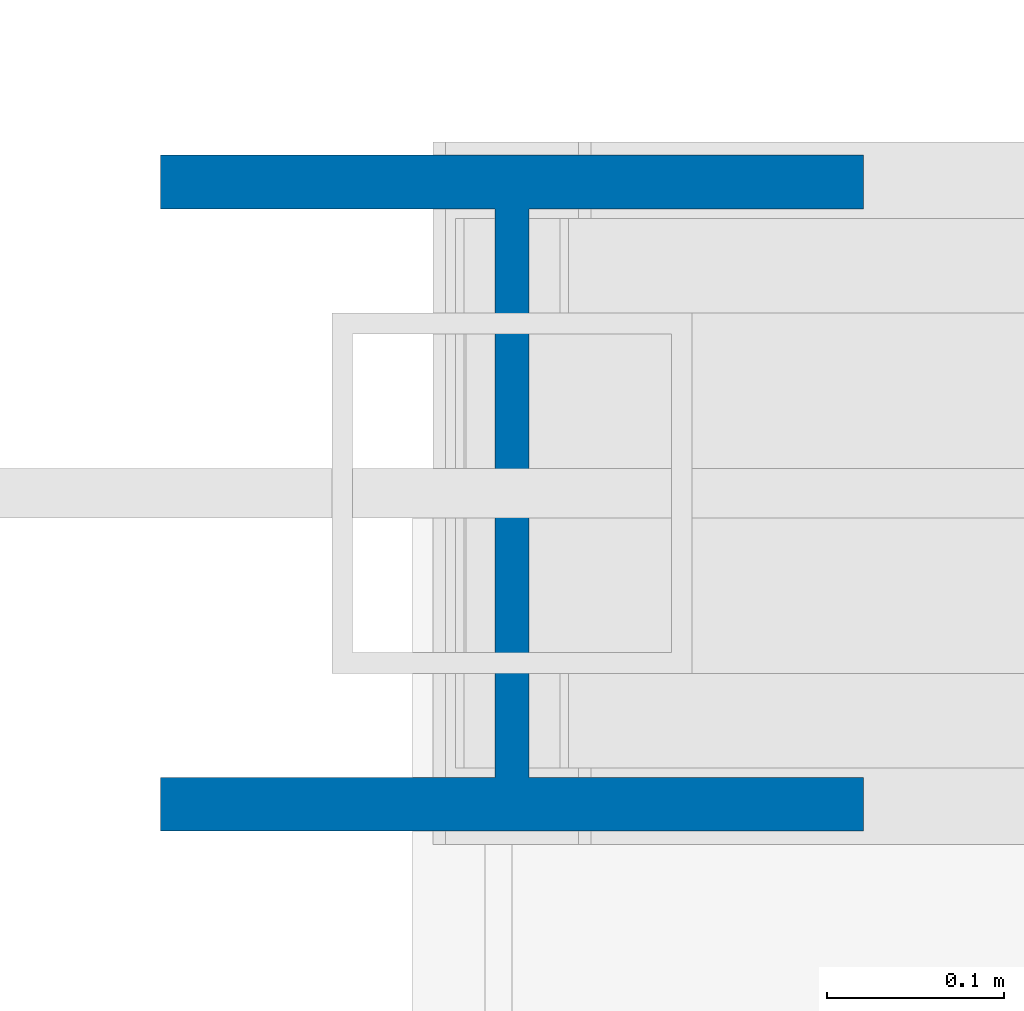
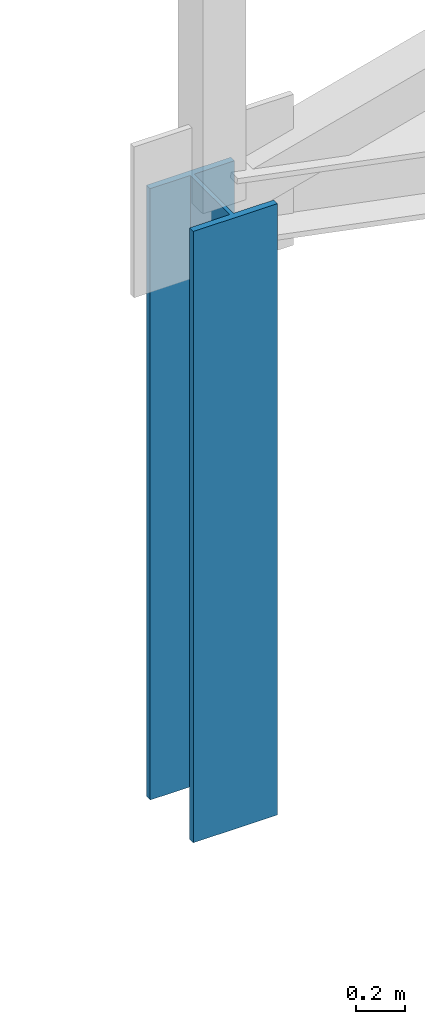
# One storey, part 9 of 73: 1 column.
"""IFC4 building model written with IfcOpenShell, lengths in metres."""

from ifc_helpers import new_model, si_unit, direction, frame, origin, origin_2d, place, context, subcontext, project, spatial, i_section, extrude, material, material_profile, profile_set, type_object, element, save


model = new_model("IFC4")

# Units and contexts
model_context = context("Model", 3, precision=1e-05, world=origin(), true_north=direction((0.0, 1.0)))
body_context = subcontext(model_context, "Body", "Model", "MODEL_VIEW")
ifc_project = project(units=[si_unit("LENGTHUNIT", "METRE"), si_unit("AREAUNIT", "SQUARE_METRE"), si_unit("VOLUMEUNIT", "CUBIC_METRE"), si_unit("PLANEANGLEUNIT", "RADIAN"), si_unit("MASSUNIT", "GRAM", prefix="KILO")], contexts=[model_context])

# Site, building, storey
site_placement = place(None, origin())
site = spatial("IfcSite", under=ifc_project, at=site_placement, CompositionType="ELEMENT")
building_placement = place(site_placement, origin())
building = spatial("IfcBuilding", under=site, at=building_placement, Name="Vervanel Yard Central Library", CompositionType="ELEMENT")
storey_placement = place(building_placement, frame((0.0, 0.0, 12.780029296875)))
storey = spatial("IfcBuildingStorey", under=building, at=storey_placement, Name="L03", CompositionType="ELEMENT", Elevation=12.780029296875)

# Column
ifc_material = material(Name="Steel ASTM A992 Grade 50", Category="steel")
ifc_material_profile = material_profile(ifc_material, i_section(OverallWidth=0.396240234375, OverallDepth=0.381103515625, WebThickness=0.01904296875, FlangeThickness=0.0302734375, at=origin_2d()), Name="W14X159", Category="steel")
ifc_profile_set = profile_set([ifc_material_profile], Name="Steel ASTM A992 Grade 50")
column_type = type_object("IfcColumnType", Name="Steel Column W14X159", PredefinedType="COLUMN", material=ifc_profile_set)
column_placement = place(storey_placement, frame((146.0, 106.0, 0.0), z_axis=(0.0, 0.0, 1.0), x_axis=(1.0, 0.0, 0.0)))
element("IfcColumn", 1, at=column_placement, inside=storey, type_object=column_type, Name="L03 Auditorium Stage Truss Post 6", PredefinedType="COLUMN", context=body_context, shape_type="SweptSolid", body=[
    extrude(i_section(OverallWidth=0.396240234375, OverallDepth=0.381103515625, WebThickness=0.01904296875, FlangeThickness=0.0302734375, at=origin_2d()), origin(), (0.0, 0.0, 1.0), 3.0400390625),
])

save(model, "model.ifc")
